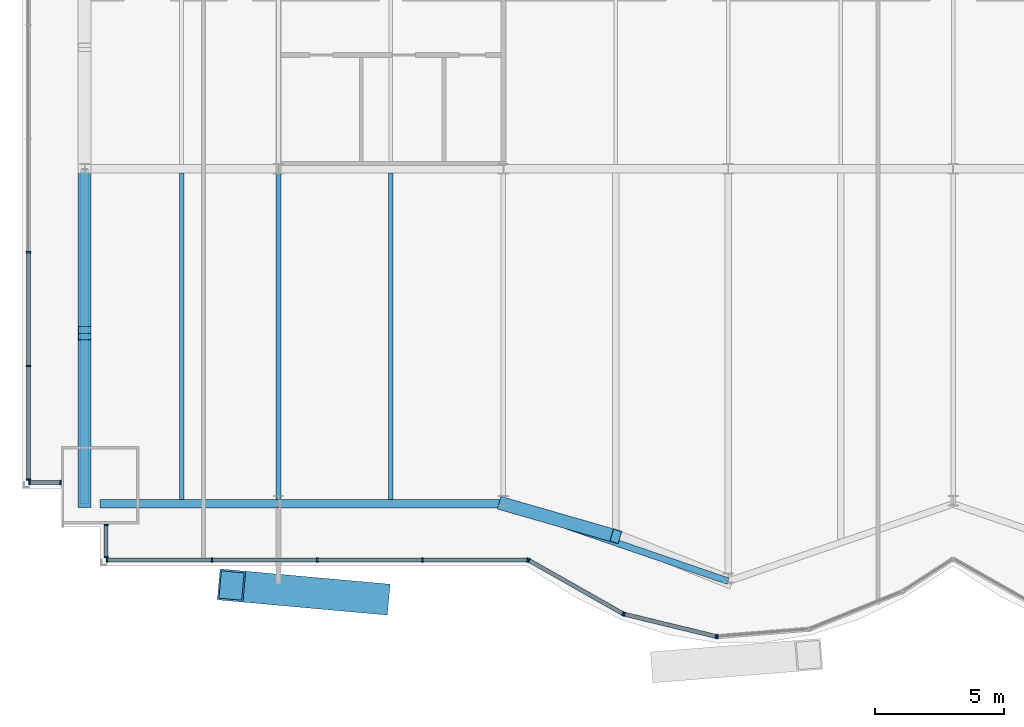
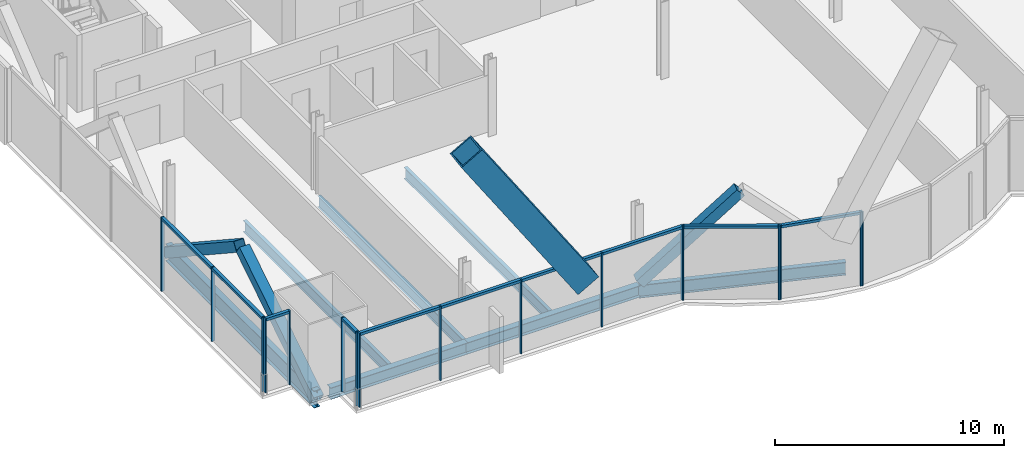
# One storey, part 4 of 21: 31 members, 7 beams, 5 elements without a shape of their own.
"""IFC4 building model written with IfcOpenShell, lengths in metres."""

from ifc_helpers import new_model, si_unit, direction, frame, origin, origin_2d, place, context, subcontext, project, spatial, rectangle, hollow_rectangle, i_section, extrude, material, material_profile, profile_set, type_object, element, aggregate, save


model = new_model("IFC4")

# Units and contexts
model_context = context("Model", 3, precision=1e-05, world=origin(), true_north=direction((0.0, 1.0)))
body_context = subcontext(model_context, "Body", "Model", "MODEL_VIEW")
ifc_project = project(units=[si_unit("LENGTHUNIT", "METRE"), si_unit("AREAUNIT", "SQUARE_METRE"), si_unit("VOLUMEUNIT", "CUBIC_METRE"), si_unit("PLANEANGLEUNIT", "RADIAN"), si_unit("MASSUNIT", "GRAM", prefix="KILO")], contexts=[model_context])

# Site, building, storey
site_placement = place(None, origin())
site = spatial("IfcSite", under=ifc_project, at=site_placement, CompositionType="ELEMENT")
building_placement = place(site_placement, origin())
building = spatial("IfcBuilding", under=site, at=building_placement, Name="Bicima Exchange Tower", CompositionType="ELEMENT")
storey_placement = place(building_placement, frame((0.0, 0.0, 118.60009765625)))
storey = spatial("IfcBuildingStorey", under=building, at=storey_placement, Name="L25", CompositionType="ELEMENT", Elevation=118.60009765625)

# Curtain wall, members
ifc_material_1 = material(Name="Anodised bronze aluminium", Category="aluminium")
curtain_wall_type_1 = type_object("IfcCurtainWallType", Name="End face glass wall", PredefinedType="NOTDEFINED", material=ifc_material_1)
curtain_wall_1_placement = place(storey_placement, origin())
curtain_wall_1 = element("IfcCurtainWall", 1, at=curtain_wall_1_placement, inside=storey, type_object=curtain_wall_type_1, Name="End face glass wall L25 run 2", PredefinedType="NOTDEFINED")
ifc_material_profile_1 = material_profile(ifc_material_1, rectangle(XDim=0.159912109375, YDim=0.06005859375, at=origin_2d()))
ifc_profile_set_1 = profile_set([ifc_material_profile_1], Name="Anodised bronze aluminium")
member_type_1 = type_object("IfcMemberType", Name="End face glass wall mullion 60 x 160", PredefinedType="MULLION", material=ifc_profile_set_1)
member_1_placement = place(storey_placement, frame((-35.77001953125, -25.226318359375, 0.0), z_axis=(0.0, 0.0, 1.0), x_axis=(1.0, 0.0, 0.0)))
member_1 = element("IfcMember", 2, at=member_1_placement, type_object=member_type_1, Name="End face glass wall mullion 4", PredefinedType="MULLION", context=body_context, shape_type="SweptSolid", body=[
    extrude(rectangle(XDim=0.159912109375, YDim=0.06005859375, at=origin_2d()), origin(), (0.0, 0.0, 1.0), 3.949951171875),
])
member_2_placement = place(storey_placement, frame((-35.77001953125, -29.625244140625, 0.0), z_axis=(0.0, 0.0, 1.0), x_axis=(1.0, 0.0, 0.0)))
member_2 = element("IfcMember", 3, at=member_2_placement, type_object=member_type_1, Name="End face glass wall mullion 5", PredefinedType="MULLION", context=body_context, shape_type="SweptSolid", body=[
    extrude(rectangle(XDim=0.159912109375, YDim=0.06005859375, at=origin_2d()), origin(), (0.0, 0.0, 1.0), 3.949951171875),
])
member_3_placement = place(storey_placement, frame((-35.77001953125, -34.02392578125, 0.0), z_axis=(0.0, 0.0, 1.0), x_axis=(1.0, 0.0, 0.0)))
member_3 = element("IfcMember", 4, at=member_3_placement, type_object=member_type_1, Name="End face glass wall mullion 6", PredefinedType="MULLION", context=body_context, shape_type="SweptSolid", body=[
    extrude(rectangle(XDim=0.159912109375, YDim=0.06005859375, at=origin_2d()), origin(), (0.0, 0.0, 1.0), 3.949951171875),
])
ifc_material_profile_2 = material_profile(ifc_material_1, rectangle(XDim=0.159912109375, YDim=0.139892578125, at=origin_2d()))
ifc_profile_set_2 = profile_set([ifc_material_profile_2], Name="Anodised bronze aluminium")
member_type_2 = type_object("IfcMemberType", Name="End face glass wall transom 140 x 160", PredefinedType="USERDEFINED", material=ifc_profile_set_2)
member_4_placement = place(storey_placement, frame((-35.77001953125, -25.25634765625, 3.8798828125), z_axis=(0.0, -1.0, 0.0), x_axis=(1.0, 0.0, 0.0)))
member_4 = element("IfcMember", 5, at=member_4_placement, type_object=member_type_2, Name="End face glass wall transom 4.1", ObjectType="TRANSOM", PredefinedType="USERDEFINED", context=body_context, shape_type="SweptSolid", body=[
    extrude(rectangle(XDim=0.159912109375, YDim=0.139892578125, at=origin_2d()), origin(), (0.0, 0.0, 1.0), 4.3388671875),
])
member_5_placement = place(storey_placement, frame((-35.77001953125, -29.6552734375, 3.8798828125), z_axis=(0.0, -1.0, 0.0), x_axis=(1.0, 0.0, 0.0)))
member_5 = element("IfcMember", 6, at=member_5_placement, type_object=member_type_2, Name="End face glass wall transom 5.1", ObjectType="TRANSOM", PredefinedType="USERDEFINED", context=body_context, shape_type="SweptSolid", body=[
    extrude(rectangle(XDim=0.159912109375, YDim=0.139892578125, at=origin_2d()), origin(), (0.0, 0.0, 1.0), 4.338623046875),
])
aggregate(curtain_wall_1, [member_1, member_2, member_3, member_4, member_5])

# Beam
ifc_material_2 = material(Name="Steel ASTM A992 Gr 50", Category="steel")
ifc_material_profile_3 = material_profile(ifc_material_2, i_section(OverallWidth=0.3046875, OverallDepth=0.911865234375, WebThickness=0.015869140625, FlangeThickness=0.02392578125, at=origin_2d()))
ifc_profile_set_3 = profile_set([ifc_material_profile_3], Name="Steel ASTM A992 Gr 50")
beam_type_1 = type_object("IfcBeamType", Name="End girder W36x150", PredefinedType="BEAM", material=ifc_profile_set_3)
beam_1_placement = place(storey_placement, frame((-33.60009765625, -22.0, -0.60595703125), z_axis=(0.0, -1.0, 0.0), x_axis=(1.0, 0.0, 0.0)))
element("IfcBeam", 7, at=beam_1_placement, inside=storey, type_object=beam_type_1, Name="End girder", PredefinedType="BEAM", context=body_context, shape_type="SweptSolid", body=[
    extrude(i_section(OverallWidth=0.3046875, OverallDepth=0.911865234375, WebThickness=0.015869140625, FlangeThickness=0.02392578125, at=origin_2d()), origin(), (0.0, 0.0, 1.0), 12.964111328125),
])

# Member
ifc_material_3 = material(Name="Steel ASTM A572 Gr 50", Category="steel")
ifc_material_profile_4 = material_profile(ifc_material_3, hollow_rectangle(XDim=1.199951171875, YDim=1.199951171875, WallThickness=0.070068359375, at=origin_2d()))
ifc_profile_set_4 = profile_set([ifc_material_profile_4], Name="Steel ASTM A572 Gr 50")
member_type_3 = type_object("IfcMemberType", Name="Exo mega brace BOX 1200x1200x70", PredefinedType="BRACE", material=ifc_profile_set_4)
member_6_placement = place(storey_placement, frame((-22.333251953125, -38.6220703125, 4.066650390625), z_axis=(-0.552134579453, 0.049540015612, 0.832281919199), x_axis=(-0.089365532808, -0.995998896358, 0.0)))
element("IfcMember", 8, at=member_6_placement, inside=storey, type_object=member_type_3, Name="Exo mega brace front", PredefinedType="BRACE", context=body_context, shape_type="SweptSolid", body=[
    extrude(hollow_rectangle(XDim=1.199951171875, YDim=1.199951171875, WallThickness=0.070068359375, at=origin_2d()), origin(), (0.0, 0.0, 1.0), 10.112548828125),
])

# Beams
ifc_material_profile_5 = material_profile(ifc_material_2, i_section(OverallWidth=0.177978515625, OverallDepth=0.599365234375, WebThickness=0.010009765625, FlangeThickness=0.012939453125, at=origin_2d()))
ifc_profile_set_5 = profile_set([ifc_material_profile_5], Name="Steel ASTM A992 Gr 50")
beam_type_2 = type_object("IfcBeamType", Name="Floor beam W24x55", PredefinedType="JOIST", material=ifc_profile_set_5)
for number, where, z_axis, x_axis, name in (
    (9, (-29.85009765625, -22.16259765625, -0.44970703125), (0.0, -1.0, 0.0), (1.0, 0.0, 0.0), "Floor beam"),
    (10, (-26.10009765625, -22.16259765625, -0.44970703125), (0.0, -1.0, 0.0), (1.0, 0.0, 0.0), "Floor beam"),
    (11, (-21.75, -22.16259765625, -0.44970703125), (0.0, -1.0, 0.0), (1.0, 0.0, 0.0), "Floor beam"),
):
    element("IfcBeam", number, at=place(storey_placement, frame(where, z_axis=z_axis, x_axis=x_axis)), inside=storey, type_object=beam_type_2, Name=name, PredefinedType="JOIST", context=body_context, shape_type="SweptSolid", body=[
        extrude(i_section(OverallWidth=0.177978515625, OverallDepth=0.599365234375, WebThickness=0.010009765625, FlangeThickness=0.012939453125, at=origin_2d()), origin(), (0.0, 0.0, 1.0), 12.638916015625),
    ])
ifc_material_profile_6 = material_profile(ifc_material_2, i_section(OverallWidth=0.3251953125, OverallDepth=0.612060546875, WebThickness=0.0126953125, FlangeThickness=0.01904296875, at=origin_2d()))
ifc_profile_set_6 = profile_set([ifc_material_profile_6], Name="Steel ASTM A992 Gr 50")
beam_type_3 = type_object("IfcBeamType", Name="Front girder W24x104", PredefinedType="BEAM", material=ifc_profile_set_6)
beam_2_placement = place(storey_placement, frame((-33.0, -34.964111328125, -0.456298828125), z_axis=(1.0, 0.0, 0.0), x_axis=(0.0, 1.0, 0.0)))
element("IfcBeam", 12, at=beam_2_placement, inside=storey, type_object=beam_type_3, Name="Front girder", PredefinedType="BEAM", context=body_context, shape_type="SweptSolid", body=[
    extrude(i_section(OverallWidth=0.3251953125, OverallDepth=0.612060546875, WebThickness=0.0126953125, FlangeThickness=0.01904296875, at=origin_2d()), origin(), (0.0, 0.0, 1.0), 6.89990234375),
])
beam_3_placement = place(storey_placement, frame((-26.10009765625, -34.964111328125, -0.456298828125), z_axis=(1.0, 0.0, 0.0), x_axis=(0.0, 1.0, 0.0)))
element("IfcBeam", 13, at=beam_3_placement, inside=storey, type_object=beam_type_3, Name="Front girder", PredefinedType="BEAM", context=body_context, shape_type="SweptSolid", body=[
    extrude(i_section(OverallWidth=0.3251953125, OverallDepth=0.612060546875, WebThickness=0.0126953125, FlangeThickness=0.01904296875, at=origin_2d()), origin(), (0.0, 0.0, 1.0), 8.7001953125),
])
ifc_material_profile_7 = material_profile(ifc_material_2, i_section(OverallWidth=0.256591796875, OverallDepth=0.693359375, WebThickness=0.014404296875, FlangeThickness=0.023681640625, at=origin_2d()))
ifc_profile_set_7 = profile_set([ifc_material_profile_7], Name="Steel ASTM A992 Gr 50")
beam_type_4 = type_object("IfcBeamType", Name="Front girder W27x114", PredefinedType="BEAM", material=ifc_profile_set_7)
beam_4_placement = place(storey_placement, frame((-17.39990234375, -34.964111328125, -0.496826171875), z_axis=(0.945674616091, -0.32511462668, 0.0), x_axis=(0.32511462668, 0.945674616091, 0.0)))
element("IfcBeam", 14, at=beam_4_placement, inside=storey, type_object=beam_type_4, Name="Front girder", PredefinedType="BEAM", context=body_context, shape_type="SweptSolid", body=[
    extrude(i_section(OverallWidth=0.256591796875, OverallDepth=0.693359375, WebThickness=0.014404296875, FlangeThickness=0.023681640625, at=origin_2d()), origin(), (0.0, 0.0, 1.0), 9.19970703125),
])

# Curtain wall, members
curtain_wall_type_2 = type_object("IfcCurtainWallType", Name="Front glass wall", PredefinedType="NOTDEFINED", material=ifc_material_1)
curtain_wall_2_placement = place(storey_placement, origin())
curtain_wall_2 = element("IfcCurtainWall", 15, at=curtain_wall_2_placement, inside=storey, type_object=curtain_wall_type_2, Name="Front glass wall L25 run 3", PredefinedType="NOTDEFINED")
member_type_4 = type_object("IfcMemberType", Name="Front glass wall mullion 60 x 160", PredefinedType="MULLION", material=ifc_profile_set_1)
member_7_placement = place(storey_placement, frame((-35.739990234375, -34.134033203125, 0.0), z_axis=(0.0, 0.0, 1.0), x_axis=(0.0, 1.0, 0.0)))
member_7 = element("IfcMember", 16, at=member_7_placement, type_object=member_type_4, Name="Front glass wall mullion 1", PredefinedType="MULLION", context=body_context, shape_type="SweptSolid", body=[
    extrude(rectangle(XDim=0.159912109375, YDim=0.06005859375, at=origin_2d()), origin(), (0.0, 0.0, 1.0), 3.949951171875),
])
member_8_placement = place(storey_placement, frame((-34.530029296875, -34.134033203125, 0.0), z_axis=(0.0, 0.0, 1.0), x_axis=(0.0, 1.0, 0.0)))
member_8 = element("IfcMember", 17, at=member_8_placement, type_object=member_type_4, Name="Front glass wall mullion 2", PredefinedType="MULLION", context=body_context, shape_type="SweptSolid", body=[
    extrude(rectangle(XDim=0.159912109375, YDim=0.06005859375, at=origin_2d()), origin(), (0.0, 0.0, 1.0), 3.949951171875),
])

curtain_wall_3_placement = place(storey_placement, origin())
curtain_wall_3 = element("IfcCurtainWall", 18, at=curtain_wall_3_placement, inside=storey, type_object=curtain_wall_type_2, Name="Front glass wall L25 run 4", PredefinedType="NOTDEFINED")
member_9_placement = place(storey_placement, frame((-32.77001953125, -35.77197265625, 0.0), z_axis=(0.0, 0.0, 1.0), x_axis=(1.0, 0.0, 0.0)))
member_9 = element("IfcMember", 19, at=member_9_placement, type_object=member_type_4, Name="Front glass wall mullion 1", PredefinedType="MULLION", context=body_context, shape_type="SweptSolid", body=[
    extrude(rectangle(XDim=0.159912109375, YDim=0.06005859375, at=origin_2d()), origin(), (0.0, 0.0, 1.0), 3.949951171875),
])
member_10_placement = place(storey_placement, frame((-32.77001953125, -37.02392578125, 0.0), z_axis=(0.0, 0.0, 1.0), x_axis=(1.0, 0.0, 0.0)))
member_10 = element("IfcMember", 20, at=member_10_placement, type_object=member_type_4, Name="Front glass wall mullion 2", PredefinedType="MULLION", context=body_context, shape_type="SweptSolid", body=[
    extrude(rectangle(XDim=0.159912109375, YDim=0.06005859375, at=origin_2d()), origin(), (0.0, 0.0, 1.0), 3.949951171875),
])

curtain_wall_4_placement = place(storey_placement, origin())
curtain_wall_4 = element("IfcCurtainWall", 21, at=curtain_wall_4_placement, inside=storey, type_object=curtain_wall_type_2, Name="Front glass wall L25 run 5", PredefinedType="NOTDEFINED")
member_11_placement = place(storey_placement, frame((-32.739990234375, -37.134033203125, 0.0), z_axis=(0.0, 0.0, 1.0), x_axis=(0.0, 1.0, 0.0)))
member_11 = element("IfcMember", 22, at=member_11_placement, type_object=member_type_4, Name="Front glass wall mullion 1", PredefinedType="MULLION", context=body_context, shape_type="SweptSolid", body=[
    extrude(rectangle(XDim=0.159912109375, YDim=0.06005859375, at=origin_2d()), origin(), (0.0, 0.0, 1.0), 3.949951171875),
])
member_12_placement = place(storey_placement, frame((-28.67041015625, -37.134033203125, 0.0), z_axis=(0.0, 0.0, 1.0), x_axis=(0.0, 1.0, 0.0)))
member_12 = element("IfcMember", 23, at=member_12_placement, type_object=member_type_4, Name="Front glass wall mullion 2", PredefinedType="MULLION", context=body_context, shape_type="SweptSolid", body=[
    extrude(rectangle(XDim=0.159912109375, YDim=0.06005859375, at=origin_2d()), origin(), (0.0, 0.0, 1.0), 3.949951171875),
])
member_13_placement = place(storey_placement, frame((-24.60107421875, -37.134033203125, 0.0), z_axis=(0.0, 0.0, 1.0), x_axis=(0.0, 1.0, 0.0)))
member_13 = element("IfcMember", 24, at=member_13_placement, type_object=member_type_4, Name="Front glass wall mullion 3", PredefinedType="MULLION", context=body_context, shape_type="SweptSolid", body=[
    extrude(rectangle(XDim=0.159912109375, YDim=0.06005859375, at=origin_2d()), origin(), (0.0, 0.0, 1.0), 3.949951171875),
])
member_14_placement = place(storey_placement, frame((-20.531494140625, -37.134033203125, 0.0), z_axis=(0.0, 0.0, 1.0), x_axis=(0.0, 1.0, 0.0)))
member_14 = element("IfcMember", 25, at=member_14_placement, type_object=member_type_4, Name="Front glass wall mullion 4", PredefinedType="MULLION", context=body_context, shape_type="SweptSolid", body=[
    extrude(rectangle(XDim=0.159912109375, YDim=0.06005859375, at=origin_2d()), origin(), (0.0, 0.0, 1.0), 3.949951171875),
])
member_15_placement = place(storey_placement, frame((-16.462158203125, -37.134033203125, 0.0), z_axis=(0.0, 0.0, 1.0), x_axis=(0.0, 1.0, 0.0)))
member_15 = element("IfcMember", 26, at=member_15_placement, type_object=member_type_4, Name="Front glass wall mullion 5", PredefinedType="MULLION", context=body_context, shape_type="SweptSolid", body=[
    extrude(rectangle(XDim=0.159912109375, YDim=0.06005859375, at=origin_2d()), origin(), (0.0, 0.0, 1.0), 3.949951171875),
])

curtain_wall_5_placement = place(storey_placement, origin())
curtain_wall_5 = element("IfcCurtainWall", 27, at=curtain_wall_5_placement, inside=storey, type_object=curtain_wall_type_2, Name="Front glass wall L25 run 6", PredefinedType="NOTDEFINED")
member_16_placement = place(storey_placement, frame((-16.406005859375, -37.148681640625, 0.0), z_axis=(0.0, 0.0, 1.0), x_axis=(0.493395449343, 0.869805110681, 0.0)))
member_16 = element("IfcMember", 28, at=member_16_placement, type_object=member_type_4, Name="Front glass wall mullion 1", PredefinedType="MULLION", context=body_context, shape_type="SweptSolid", body=[
    extrude(rectangle(XDim=0.159912109375, YDim=0.06005859375, at=origin_2d()), origin(), (0.0, 0.0, 1.0), 3.949951171875),
])
member_17_placement = place(storey_placement, frame((-12.7734375, -39.20947265625, 0.0), z_axis=(0.0, 0.0, 1.0), x_axis=(0.493395449343, 0.869805110681, 0.0)))
member_17 = element("IfcMember", 29, at=member_17_placement, type_object=member_type_4, Name="Front glass wall mullion 2", PredefinedType="MULLION", context=body_context, shape_type="SweptSolid", body=[
    extrude(rectangle(XDim=0.159912109375, YDim=0.06005859375, at=origin_2d()), origin(), (0.0, 0.0, 1.0), 3.949951171875),
])
member_18_placement = place(storey_placement, frame((-12.718017578125, -39.231201171875, 0.0), z_axis=(0.0, 0.0, 1.0), x_axis=(0.235681529503, 0.971830343553, 0.0)))
member_18 = element("IfcMember", 30, at=member_18_placement, type_object=member_type_4, Name="Front glass wall mullion 1", PredefinedType="MULLION", context=body_context, shape_type="SweptSolid", body=[
    extrude(rectangle(XDim=0.159912109375, YDim=0.06005859375, at=origin_2d()), origin(), (0.0, 0.0, 1.0), 3.949951171875),
])
member_19_placement = place(storey_placement, frame((-9.177490234375, -40.08984375, 0.0), z_axis=(0.0, 0.0, 1.0), x_axis=(0.235681529503, 0.971830343553, 0.0)))
member_19 = element("IfcMember", 31, at=member_19_placement, type_object=member_type_4, Name="Front glass wall mullion 2", PredefinedType="MULLION", context=body_context, shape_type="SweptSolid", body=[
    extrude(rectangle(XDim=0.159912109375, YDim=0.06005859375, at=origin_2d()), origin(), (0.0, 0.0, 1.0), 3.949951171875),
])
member_20_placement = place(storey_placement, frame((-9.118408203125, -40.094482421875, 0.0), z_axis=(0.0, 0.0, 1.0), x_axis=(-0.080588612633, 0.99674744821, 0.0)))
member_20 = element("IfcMember", 32, at=member_20_placement, type_object=member_type_4, Name="Front glass wall mullion 1", PredefinedType="MULLION", context=body_context, shape_type="SweptSolid", body=[
    extrude(rectangle(XDim=0.159912109375, YDim=0.06005859375, at=origin_2d()), origin(), (0.0, 0.0, 1.0), 3.949951171875),
])

# Member
member_type_5 = type_object("IfcMemberType", Name="Front glass wall transom 140 x 160", PredefinedType="USERDEFINED", material=ifc_profile_set_2)
member_21_placement = place(storey_placement, frame((-35.7099609375, -34.134033203125, 3.8798828125), z_axis=(1.0, 0.0, 0.0), x_axis=(0.0, 1.0, 0.0)))
member_21 = element("IfcMember", 33, at=member_21_placement, type_object=member_type_5, Name="Front glass wall transom 1.1", ObjectType="TRANSOM", PredefinedType="USERDEFINED", context=body_context, shape_type="SweptSolid", body=[
    extrude(rectangle(XDim=0.159912109375, YDim=0.139892578125, at=origin_2d()), origin(), (0.0, 0.0, 1.0), 1.14990234375),
])

aggregate(curtain_wall_2, [member_7, member_8, member_21])

member_22_placement = place(storey_placement, frame((-32.77001953125, -35.802001953125, 3.8798828125), z_axis=(0.0, -1.0, 0.0), x_axis=(1.0, 0.0, 0.0)))
member_22 = element("IfcMember", 34, at=member_22_placement, type_object=member_type_5, Name="Front glass wall transom 1.1", ObjectType="TRANSOM", PredefinedType="USERDEFINED", context=body_context, shape_type="SweptSolid", body=[
    extrude(rectangle(XDim=0.159912109375, YDim=0.139892578125, at=origin_2d()), origin(), (0.0, 0.0, 1.0), 1.19189453125),
])

aggregate(curtain_wall_3, [member_9, member_10, member_22])

member_23_placement = place(storey_placement, frame((-32.7099609375, -37.134033203125, 3.8798828125), z_axis=(1.0, 0.0, 0.0), x_axis=(0.0, 1.0, 0.0)))
member_23 = element("IfcMember", 35, at=member_23_placement, type_object=member_type_5, Name="Front glass wall transom 1.1", ObjectType="TRANSOM", PredefinedType="USERDEFINED", context=body_context, shape_type="SweptSolid", body=[
    extrude(rectangle(XDim=0.159912109375, YDim=0.139892578125, at=origin_2d()), origin(), (0.0, 0.0, 1.0), 4.009521484375),
])

member_24_placement = place(storey_placement, frame((-28.640380859375, -37.134033203125, 3.8798828125), z_axis=(1.0, 0.0, 0.0), x_axis=(0.0, 1.0, 0.0)))
member_24 = element("IfcMember", 36, at=member_24_placement, type_object=member_type_5, Name="Front glass wall transom 2.1", ObjectType="TRANSOM", PredefinedType="USERDEFINED", context=body_context, shape_type="SweptSolid", body=[
    extrude(rectangle(XDim=0.159912109375, YDim=0.139892578125, at=origin_2d()), origin(), (0.0, 0.0, 1.0), 4.00927734375),
])

member_25_placement = place(storey_placement, frame((-24.571044921875, -37.134033203125, 3.8798828125), z_axis=(1.0, 0.0, 0.0), x_axis=(0.0, 1.0, 0.0)))
member_25 = element("IfcMember", 37, at=member_25_placement, type_object=member_type_5, Name="Front glass wall transom 3.1", ObjectType="TRANSOM", PredefinedType="USERDEFINED", context=body_context, shape_type="SweptSolid", body=[
    extrude(rectangle(XDim=0.159912109375, YDim=0.139892578125, at=origin_2d()), origin(), (0.0, 0.0, 1.0), 4.009521484375),
])

member_26_placement = place(storey_placement, frame((-20.501708984375, -37.134033203125, 3.8798828125), z_axis=(1.0, 0.0, 0.0), x_axis=(0.0, 1.0, 0.0)))
member_26 = element("IfcMember", 38, at=member_26_placement, type_object=member_type_5, Name="Front glass wall transom 4.1", ObjectType="TRANSOM", PredefinedType="USERDEFINED", context=body_context, shape_type="SweptSolid", body=[
    extrude(rectangle(XDim=0.159912109375, YDim=0.139892578125, at=origin_2d()), origin(), (0.0, 0.0, 1.0), 4.009521484375),
])

aggregate(curtain_wall_4, [member_11, member_12, member_13, member_14, member_15, member_23, member_24, member_25, member_26])

member_27_placement = place(storey_placement, frame((-16.3798828125, -37.16357421875, 3.8798828125), z_axis=(0.869797371721, -0.49340909208, 0.0), x_axis=(0.49340909208, 0.869797371721, 0.0)))
member_27 = element("IfcMember", 39, at=member_27_placement, type_object=member_type_5, Name="Front glass wall transom 1.1", ObjectType="TRANSOM", PredefinedType="USERDEFINED", context=body_context, shape_type="SweptSolid", body=[
    extrude(rectangle(XDim=0.159912109375, YDim=0.139892578125, at=origin_2d()), origin(), (0.0, 0.0, 1.0), 4.1162109375),
])

member_28_placement = place(storey_placement, frame((-12.68896484375, -39.23828125, 3.8798828125), z_axis=(0.971817951661, -0.235732621477, 0.0), x_axis=(0.235732621477, 0.971817951661, 0.0)))
member_28 = element("IfcMember", 40, at=member_28_placement, type_object=member_type_5, Name="Front glass wall transom 1.1", ObjectType="TRANSOM", PredefinedType="USERDEFINED", context=body_context, shape_type="SweptSolid", body=[
    extrude(rectangle(XDim=0.159912109375, YDim=0.139892578125, at=origin_2d()), origin(), (0.0, 0.0, 1.0), 3.58349609375),
])

aggregate(curtain_wall_5, [member_16, member_17, member_27, member_18, member_19, member_28, member_20])

# Members
ifc_material_profile_8 = material_profile(ifc_material_3, hollow_rectangle(XDim=0.508056640625, YDim=0.508056640625, WallThickness=0.0146484375, at=origin_2d()))
ifc_profile_set_8 = profile_set([ifc_material_profile_8], Name="Steel ASTM A572 Gr 50")
member_type_6 = type_object("IfcMemberType", Name="Mega brace HSS20x20x5/8", PredefinedType="BRACE", material=ifc_profile_set_8)
member_29_placement = place(storey_placement, frame((-17.39990234375, -34.964111328125, 0.0), z_axis=(0.71226631392, -0.204920981375, 0.671330089783), x_axis=(0.27648739579, 0.961017544049, 0.0)))
element("IfcMember", 41, at=member_29_placement, inside=storey, type_object=member_type_6, Name="Mega brace front", PredefinedType="BRACE", context=body_context, shape_type="SweptSolid", body=[
    extrude(hollow_rectangle(XDim=0.508056640625, YDim=0.508056640625, WallThickness=0.0146484375, at=origin_2d()), origin(), (0.0, 0.0, 1.0), 6.107177734375),
])
member_30_placement = place(storey_placement, frame((-33.60009765625, -22.0, -0.60595703125), z_axis=(0.0, -0.835670310676, 0.549231401009), x_axis=(1.0, 0.0, 0.0)))
element("IfcMember", 42, at=member_30_placement, inside=storey, type_object=member_type_6, Name="Mega brace west end", PredefinedType="BRACE", context=body_context, shape_type="SweptSolid", body=[
    extrude(hollow_rectangle(XDim=0.508056640625, YDim=0.508056640625, WallThickness=0.0146484375, at=origin_2d()), origin(), (0.0, 0.0, 1.0), 7.464599609375),
])
member_31_placement = place(storey_placement, frame((-33.60009765625, -34.964111328125, -0.60595703125), z_axis=(0.0, 0.845144574572, 0.53453778919), x_axis=(-1.0, 0.0, 0.0)))
element("IfcMember", 43, at=member_31_placement, inside=storey, type_object=member_type_6, Name="Mega brace west end", PredefinedType="BRACE", context=body_context, shape_type="SweptSolid", body=[
    extrude(hollow_rectangle(XDim=0.508056640625, YDim=0.508056640625, WallThickness=0.0146484375, at=origin_2d()), origin(), (0.0, 0.0, 1.0), 7.669921875),
])

save(model, "model.ifc")
